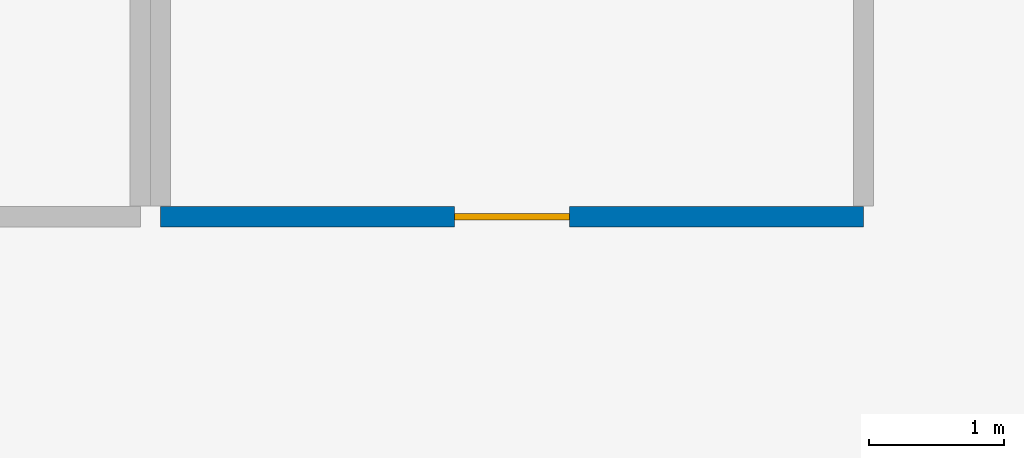
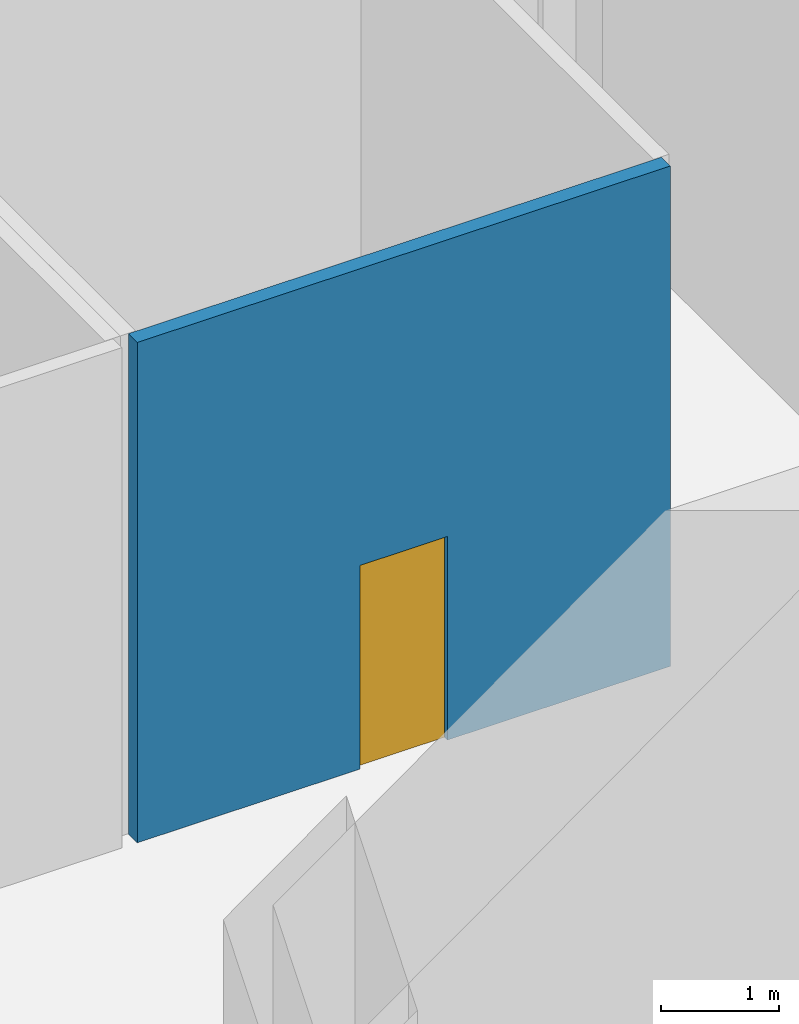
# One storey, part 7 of 13: 1 door, 1 wall, 1 opening.
"""IFC4 building model written with IfcOpenShell, lengths in metres."""

from ifc_helpers import new_model, si_unit, direction, frame, frame_2d, origin, place, context, subcontext, project, spatial, rectangle, extrude, material, layer, layer_set, type_object, element, fill, save


model = new_model("IFC4")

# Units and contexts
model_context = context("Model", 3, precision=1e-05, world=origin(), true_north=direction((0.0, 1.0)))
body_context = subcontext(model_context, "Body", "Model", "MODEL_VIEW")
ifc_project = project(units=[si_unit("LENGTHUNIT", "METRE"), si_unit("AREAUNIT", "SQUARE_METRE"), si_unit("VOLUMEUNIT", "CUBIC_METRE"), si_unit("PLANEANGLEUNIT", "RADIAN"), si_unit("MASSUNIT", "GRAM", prefix="KILO")], contexts=[model_context])

# Site, building, storey
site_placement = place(None, origin())
site = spatial("IfcSite", under=ifc_project, at=site_placement, CompositionType="ELEMENT")
building_placement = place(site_placement, origin())
building = spatial("IfcBuilding", under=site, at=building_placement, Name="Kaelvorn Grand Hotel", CompositionType="ELEMENT")
storey_placement = place(building_placement, frame((0.0, 0.0, 184.75)))
storey = spatial("IfcBuildingStorey", under=building, at=storey_placement, Name="L45", CompositionType="ELEMENT", Elevation=184.75)

# Wall, opening, door
ifc_material_1 = material(Name="Acoustic Gypsum & Stud Partition")
ifc_layer = layer(ifc_material_1, 0.14990234375)
ifc_layer_set = layer_set([ifc_layer], Name="Acoustic Gypsum & Stud Partition")
wall_type = type_object("IfcWallType", Name="WL-PART-150-EI60", PredefinedType="PARTITIONING", material=ifc_layer_set)
wall_placement = place(storey_placement, frame((31.60009765625, 34.300048828125, 0.0), z_axis=(0.0, 0.0, 1.0), x_axis=(1.0, 0.0, 0.0)))
wall = element("IfcWall", 1, at=wall_placement, inside=storey, type_object=wall_type, Name="L45 Core Telecoms & BMS Server Room S Partition", PredefinedType="PARTITIONING", context=body_context, shape_type="SweptSolid", body=[
    extrude(rectangle(XDim=5.199951171875, YDim=0.14990234375, at=frame_2d((2.60009765625, 0.0))), origin(), (0.0, 0.0, 1.0), 5.159912109375),
])
opening_placement = place(wall_placement, frame((2.175048828125, 0.0, 0.0)))
opening = element("IfcOpeningElement", 2, at=opening_placement, cuts=wall, Name="Opening DI7", PredefinedType="OPENING", context=body_context, shape_type="SweptSolid", body=[
    extrude(rectangle(XDim=0.85009765625, YDim=2.10009765625, at=frame_2d((0.425048828125, 1.050048828125))), frame((0.0, 0.0849609375, 0.0), z_axis=(0.0, -1.0, 0.0), x_axis=(1.0, 0.0, 0.0)), (0.0, 0.0, 1.0), 0.169921875),
])
ifc_material_2 = material(Name="Powder-Coated Steel Leaf", Category="steel")
door_type = type_object("IfcDoorType", Name="DR-INT-RISER-850x2100", OperationType="NOTDEFINED", PredefinedType="DOOR", material=ifc_material_2)
door_placement = place(opening_placement, origin())
door = element("IfcDoor", 3, at=door_placement, inside=storey, type_object=door_type, Name="L45 Core Telecoms & BMS Server Room Door", OperationType="SINGLE_SWING_RIGHT", OverallHeight=2.10009765625, OverallWidth=0.85009765625, PredefinedType="DOOR", context=body_context, shape_type="SweptSolid", body=[
    extrude(rectangle(XDim=0.85009765625, YDim=2.10009765625, at=frame_2d((0.425048828125, 1.050048828125))), frame((0.0, 0.02490234375, 0.0), z_axis=(0.0, -1.0, 0.0), x_axis=(1.0, 0.0, 0.0)), (0.0, 0.0, 1.0), 0.050048828125),
])
fill(opening, door)

save(model, "model.ifc")
